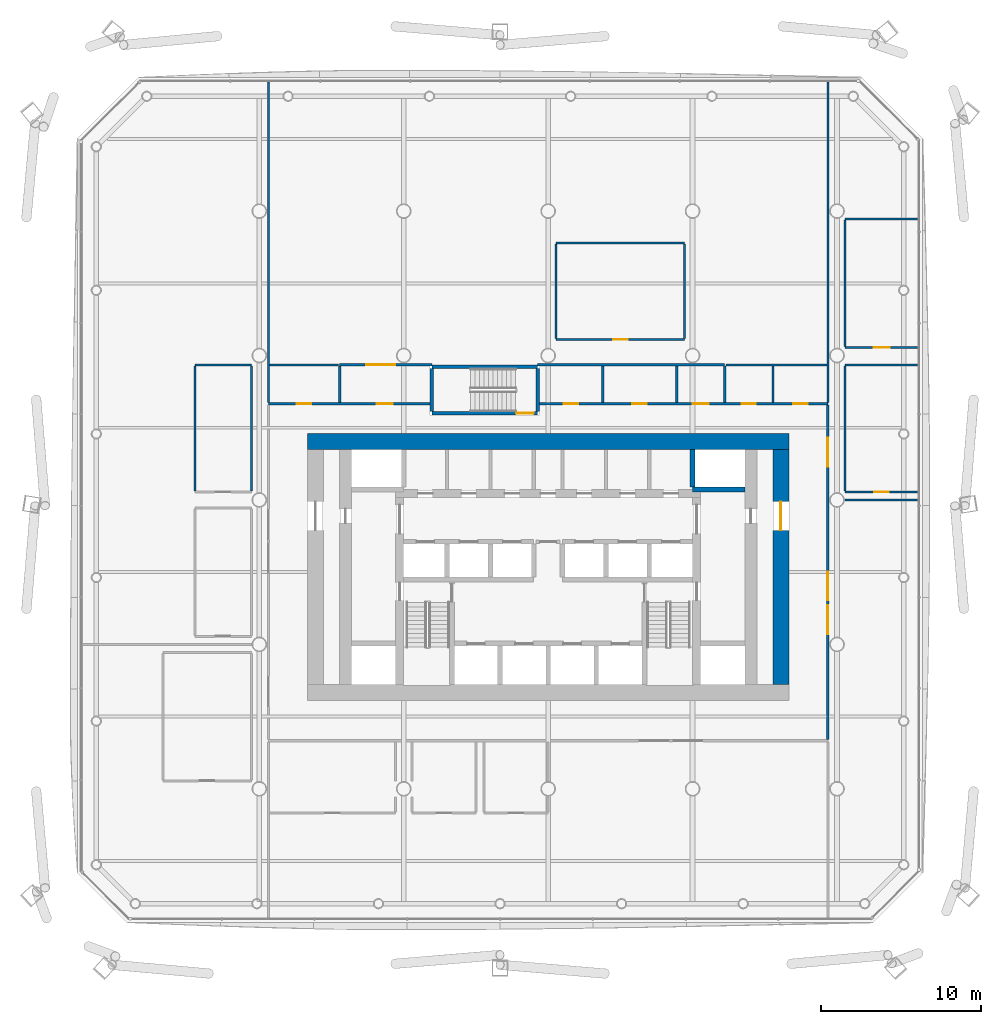
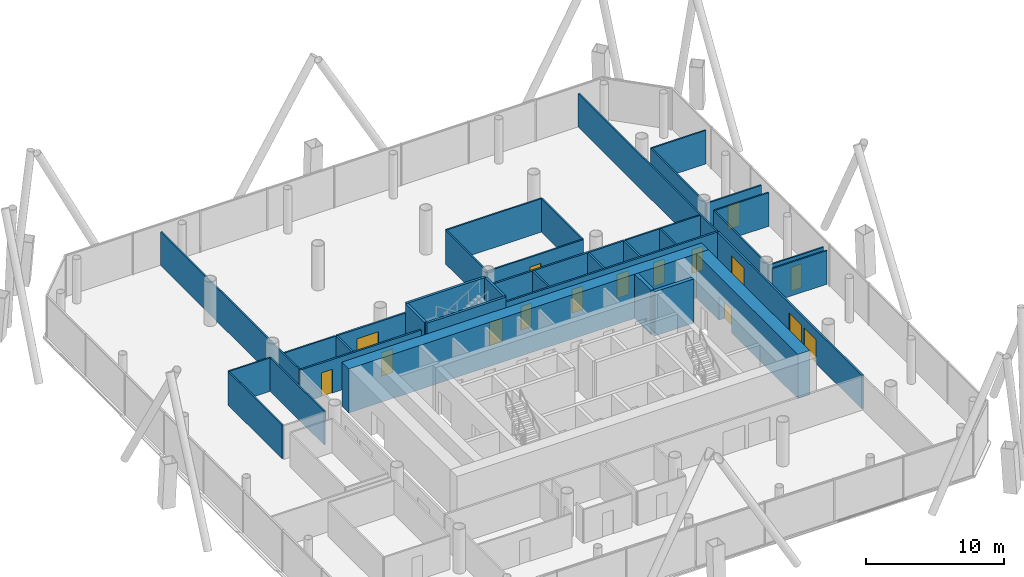
# One storey, part 15 of 21: 36 walls, 16 doors, 16 openings.
"""IFC4 building model written with IfcOpenShell, lengths in metres."""

from ifc_helpers import new_model, si_unit, direction, frame, frame_2d, origin, place, context, subcontext, project, spatial, rectangle, extrude, material, layer, layer_set, type_object, element, fill, save


model = new_model("IFC4")

# Units and contexts
model_context = context("Model", 3, precision=1e-05, world=origin(), true_north=direction((0.0, 1.0)))
body_context = subcontext(model_context, "Body", "Model", "MODEL_VIEW")
ifc_project = project(units=[si_unit("LENGTHUNIT", "METRE"), si_unit("AREAUNIT", "SQUARE_METRE"), si_unit("VOLUMEUNIT", "CUBIC_METRE"), si_unit("PLANEANGLEUNIT", "RADIAN"), si_unit("MASSUNIT", "GRAM", prefix="KILO")], contexts=[model_context])

# Site, building, storey
site_placement = place(None, origin())
site = spatial("IfcSite", under=ifc_project, at=site_placement, CompositionType="ELEMENT")
building_placement = place(site_placement, origin())
building = spatial("IfcBuilding", under=site, at=building_placement, Name="Tskaro Facet Tower", CompositionType="ELEMENT")
storey_placement = place(building_placement, frame((0.0, 0.0, 45.89990234375)))
storey = spatial("IfcBuildingStorey", under=building, at=storey_placement, Name="L10", CompositionType="ELEMENT", Elevation=45.89990234375)

# Walls
ifc_material_1 = material(Name="Concrete C60/75", Category="concrete")
ifc_layer_1 = layer(ifc_material_1, 0.300048828125, Name="Concrete C60/75")
ifc_layer_set_1 = layer_set([ifc_layer_1], Name="Concrete C60/75")
wall_type_1 = type_object("IfcWallType", Name="CORE-SHAFT", PredefinedType="SHEAR", material=ifc_layer_set_1)
wall_1_placement = place(storey_placement, frame((12.25, 0.64990234375, 0.0), z_axis=(0.0, 0.0, 1.0), x_axis=(-1.0, 0.0, 0.0)))
element("IfcWall", 1, at=wall_1_placement, inside=storey, type_object=wall_type_1, Name="Shaft wall W022", PredefinedType="SHEAR", context=body_context, shape_type="SweptSolid", body=[
    extrude(rectangle(XDim=3.25, YDim=0.300048828125, at=frame_2d((1.625, 0.0))), origin(), (0.0, 0.0, 1.0), 3.900146484375),
])
wall_2_placement = place(storey_placement, frame((9.0, 0.800048828125, 0.0), z_axis=(0.0, 0.0, 1.0), x_axis=(0.0, 1.0, 0.0)))
element("IfcWall", 2, at=wall_2_placement, inside=storey, type_object=wall_type_1, Name="Shaft wall W079", PredefinedType="SHEAR", context=body_context, shape_type="SweptSolid", body=[
    extrude(rectangle(XDim=2.349853515625, YDim=0.300048828125, at=frame_2d((1.1748046875, 0.0))), origin(), (0.0, 0.0, 1.0), 3.900146484375),
])
ifc_layer_2 = layer(ifc_material_1, 1.0, Name="Concrete C60/75")
ifc_layer_set_2 = layer_set([ifc_layer_2], Name="Concrete C60/75")
wall_type_2 = type_object("IfcWallType", Name="Core wall 1000", PredefinedType="SHEAR", material=ifc_layer_set_2)
wall_3_placement = place(storey_placement, frame((-15.0, 3.64990234375, 0.0), z_axis=(0.0, 0.0, 1.0), x_axis=(1.0, 0.0, 0.0)))
element("IfcWall", 3, at=wall_3_placement, inside=storey, type_object=wall_type_2, Name="Core wall CW-Z1N", PredefinedType="SHEAR", context=body_context, shape_type="SweptSolid", body=[
    extrude(rectangle(XDim=30.0, YDim=1.0, at=frame_2d((15.0, 0.0))), origin(), (0.0, 0.0, 1.0), 3.900146484375),
])

# Wall, opening, door
wall_4_placement = place(storey_placement, frame((14.5, -11.5, 0.0), z_axis=(0.0, 0.0, 1.0), x_axis=(0.0, 1.0, 0.0)))
wall_4 = element("IfcWall", 4, at=wall_4_placement, inside=storey, type_object=wall_type_2, Name="Core wall CW-Z1E", PredefinedType="SHEAR", context=body_context, shape_type="SweptSolid", body=[
    extrude(rectangle(XDim=14.64990234375, YDim=1.0, at=frame_2d((7.324951171875, 0.0))), origin(), (0.0, 0.0, 1.0), 3.900146484375),
])
opening_1_placement = place(wall_4_placement, frame((9.60009765625, 0.0, 0.0)))
opening_1 = element("IfcOpeningElement", 5, at=opening_1_placement, cuts=wall_4, Name="Opening T3-D20", PredefinedType="OPENING", context=body_context, shape_type="SweptSolid", body=[
    extrude(rectangle(XDim=1.800048828125, YDim=2.10009765625, at=frame_2d((0.89990234375, 1.050048828125))), frame((0.0, 0.510009765625, 0.0), z_axis=(0.0, -1.0, 0.0), x_axis=(1.0, 0.0, 0.0)), (0.0, 0.0, 1.0), 1.02001953125),
])
ifc_material_2 = material(Name="Steel", Category="steel")
door_type_1 = type_object("IfcDoorType", Name="D-CORE-PAIR", OperationType="NOTDEFINED", PredefinedType="DOOR", material=ifc_material_2)
door_1_placement = place(opening_1_placement, origin())
door_1 = element("IfcDoor", 6, at=door_1_placement, inside=storey, type_object=door_type_1, Name="Door T3-D20", OperationType="DOUBLE_DOOR_SINGLE_SWING", OverallHeight=2.10009765625, OverallWidth=1.800048828125, PredefinedType="DOOR", context=body_context, shape_type="SweptSolid", body=[
    extrude(rectangle(XDim=1.800048828125, YDim=2.10009765625, at=frame_2d((0.89990234375, 1.050048828125))), frame((0.0, 0.02490234375, 0.0), z_axis=(0.0, -1.0, 0.0), x_axis=(1.0, 0.0, 0.0)), (0.0, 0.0, 1.0), 0.050048828125),
])
fill(opening_1, door_1)

# Wall
ifc_material_3 = material(Name="Gypsum board on steel studs", Category="steel")
ifc_layer_3 = layer(ifc_material_3, 0.125, Name="Gypsum board on steel studs")
ifc_layer_set_3 = layer_set([ifc_layer_3], Name="Gypsum board on steel studs")
wall_type_3 = type_object("IfcWallType", Name="PART", PredefinedType="PARTITIONING", material=ifc_layer_set_3)
wall_5_placement = place(storey_placement, frame((18.5, 0.0, 0.0), z_axis=(0.0, 0.0, 1.0), x_axis=(1.0, 0.0, 0.0)))
element("IfcWall", 7, at=wall_5_placement, inside=storey, type_object=wall_type_3, Name="Partition W018", PredefinedType="PARTITIONING", context=body_context, shape_type="SweptSolid", body=[
    extrude(rectangle(XDim=4.556884765625, YDim=0.125, at=frame_2d((2.2783203125, 0.0))), origin(), (0.0, 0.0, 1.0), 2.960205078125),
])

# Wall, opening, door
wall_6_placement = place(storey_placement, frame((18.5, 0.5, 0.0), z_axis=(0.0, 0.0, 1.0), x_axis=(1.0, 0.0, 0.0)))
wall_6 = element("IfcWall", 8, at=wall_6_placement, inside=storey, type_object=wall_type_3, Name="Partition W020", PredefinedType="PARTITIONING", context=body_context, shape_type="SweptSolid", body=[
    extrude(rectangle(XDim=4.556884765625, YDim=0.125, at=frame_2d((2.2783203125, 0.0))), origin(), (0.0, 0.0, 1.0), 2.960205078125),
])
opening_2_placement = place(wall_6_placement, frame((1.82861328125, 0.0, 0.0)))
opening_2 = element("IfcOpeningElement", 9, at=opening_2_placement, cuts=wall_6, Name="Opening T3-D29", PredefinedType="OPENING", context=body_context, shape_type="SweptSolid", body=[
    extrude(rectangle(XDim=0.89990234375, YDim=2.10009765625, at=frame_2d((0.449951171875, 1.050048828125))), frame((0.0, 0.072509765625, 0.0), z_axis=(0.0, -1.0, 0.0), x_axis=(1.0, 0.0, 0.0)), (0.0, 0.0, 1.0), 0.14501953125),
])
ifc_material_4 = material(Name="Timber", Category="wood")
door_type_2 = type_object("IfcDoorType", Name="D-ROOM", OperationType="NOTDEFINED", PredefinedType="DOOR", material=ifc_material_4)
door_2_placement = place(opening_2_placement, origin())
door_2 = element("IfcDoor", 10, at=door_2_placement, inside=storey, type_object=door_type_2, Name="Door T3-D29", OperationType="SINGLE_SWING_LEFT", OverallHeight=2.10009765625, OverallWidth=0.89990234375, PredefinedType="DOOR", context=body_context, shape_type="SweptSolid", body=[
    extrude(rectangle(XDim=0.89990234375, YDim=2.10009765625, at=frame_2d((0.449951171875, 1.050048828125))), frame((0.0, 0.02490234375, 0.0), z_axis=(0.0, -1.0, 0.0), x_axis=(1.0, 0.0, 0.0)), (0.0, 0.0, 1.0), 0.050048828125),
])
fill(opening_2, door_2)

# Walls
wall_7_placement = place(storey_placement, frame((-22.0, 8.425048828125, 0.0), z_axis=(0.0, 0.0, 1.0), x_axis=(1.0, 0.0, 0.0)))
element("IfcWall", 11, at=wall_7_placement, inside=storey, type_object=wall_type_3, Name="Partition W027", PredefinedType="PARTITIONING", context=body_context, shape_type="SweptSolid", body=[
    extrude(rectangle(XDim=3.5, YDim=0.125, at=frame_2d((1.75, 0.0))), origin(), (0.0, 0.0, 1.0), 2.960205078125),
])
wall_8_placement = place(storey_placement, frame((-17.362548828125, 8.425048828125, 0.0), z_axis=(0.0, 0.0, 1.0), x_axis=(1.0, 0.0, 0.0)))
element("IfcWall", 12, at=wall_8_placement, inside=storey, type_object=wall_type_3, Name="Partition W028", PredefinedType="PARTITIONING", context=body_context, shape_type="SweptSolid", body=[
    extrude(rectangle(XDim=4.28759765625, YDim=0.125, at=frame_2d((2.143798828125, 0.0))), origin(), (0.0, 0.0, 1.0), 2.960205078125),
])
wall_9_placement = place(storey_placement, frame((11.074951171875, 8.425048828125, 0.0), z_axis=(0.0, 0.0, 1.0), x_axis=(1.0, 0.0, 0.0)))
element("IfcWall", 13, at=wall_9_placement, inside=storey, type_object=wall_type_3, Name="Partition W031", PredefinedType="PARTITIONING", context=body_context, shape_type="SweptSolid", body=[
    extrude(rectangle(XDim=6.28759765625, YDim=0.125, at=frame_2d((3.143798828125, 0.0))), origin(), (0.0, 0.0, 1.0), 2.960205078125),
])
wall_10_placement = place(storey_placement, frame((18.5, 8.425048828125, 0.0), z_axis=(0.0, 0.0, 1.0), x_axis=(1.0, 0.0, 0.0)))
element("IfcWall", 14, at=wall_10_placement, inside=storey, type_object=wall_type_3, Name="Partition W032", PredefinedType="PARTITIONING", context=body_context, shape_type="SweptSolid", body=[
    extrude(rectangle(XDim=4.556884765625, YDim=0.125, at=frame_2d((2.2783203125, 0.0))), origin(), (0.0, 0.0, 1.0), 2.960205078125),
])

# Wall, opening, door
wall_11_placement = place(storey_placement, frame((18.5, 9.5, 0.0), z_axis=(0.0, 0.0, 1.0), x_axis=(1.0, 0.0, 0.0)))
wall_11 = element("IfcWall", 15, at=wall_11_placement, inside=storey, type_object=wall_type_3, Name="Partition W033", PredefinedType="PARTITIONING", context=body_context, shape_type="SweptSolid", body=[
    extrude(rectangle(XDim=4.556884765625, YDim=0.125, at=frame_2d((2.2783203125, 0.0))), origin(), (0.0, 0.0, 1.0), 2.960205078125),
])
opening_3_placement = place(wall_11_placement, frame((1.778564453125, 0.0, 0.0)))
opening_3 = element("IfcOpeningElement", 16, at=opening_3_placement, cuts=wall_11, Name="Opening T3-D41", PredefinedType="OPENING", context=body_context, shape_type="SweptSolid", body=[
    extrude(rectangle(XDim=1.0, YDim=2.10009765625, at=frame_2d((0.5, 1.050048828125))), frame((0.0, 0.072509765625, 0.0), z_axis=(0.0, -1.0, 0.0), x_axis=(1.0, 0.0, 0.0)), (0.0, 0.0, 1.0), 0.14501953125),
])
door_type_3 = type_object("IfcDoorType", Name="D-ROOM-WIDE", OperationType="NOTDEFINED", PredefinedType="DOOR", material=ifc_material_4)
door_3_placement = place(opening_3_placement, origin())
door_3 = element("IfcDoor", 17, at=door_3_placement, inside=storey, type_object=door_type_3, Name="Door T3-D41", OperationType="SINGLE_SWING_LEFT", OverallHeight=2.10009765625, OverallWidth=1.0, PredefinedType="DOOR", context=body_context, shape_type="SweptSolid", body=[
    extrude(rectangle(XDim=1.0, YDim=2.10009765625, at=frame_2d((0.5, 1.050048828125))), frame((0.0, 0.02490234375, 0.0), z_axis=(0.0, -1.0, 0.0), x_axis=(1.0, 0.0, 0.0)), (0.0, 0.0, 1.0), 0.050048828125),
])
fill(opening_3, door_3)

wall_12_placement = place(storey_placement, frame((0.5, 10.0, 0.0), z_axis=(0.0, 0.0, 1.0), x_axis=(1.0, 0.0, 0.0)))
wall_12 = element("IfcWall", 18, at=wall_12_placement, inside=storey, type_object=wall_type_3, Name="Partition W034", PredefinedType="PARTITIONING", context=body_context, shape_type="SweptSolid", body=[
    extrude(rectangle(XDim=8.0, YDim=0.125, at=frame_2d((4.0, 0.0))), origin(), (0.0, 0.0, 1.0), 2.960205078125),
])
opening_4_placement = place(wall_12_placement, frame((3.550048828125, 0.0, 0.0)))
opening_4 = element("IfcOpeningElement", 19, at=opening_4_placement, cuts=wall_12, Name="Opening T3-D42", PredefinedType="OPENING", context=body_context, shape_type="SweptSolid", body=[
    extrude(rectangle(XDim=0.89990234375, YDim=2.10009765625, at=frame_2d((0.449951171875, 1.050048828125))), frame((0.0, 0.072509765625, 0.0), z_axis=(0.0, -1.0, 0.0), x_axis=(1.0, 0.0, 0.0)), (0.0, 0.0, 1.0), 0.14501953125),
])
door_4_placement = place(opening_4_placement, origin())
door_4 = element("IfcDoor", 20, at=door_4_placement, inside=storey, type_object=door_type_2, Name="Door T3-D42", OperationType="SINGLE_SWING_LEFT", OverallHeight=2.10009765625, OverallWidth=0.89990234375, PredefinedType="DOOR", context=body_context, shape_type="SweptSolid", body=[
    extrude(rectangle(XDim=0.89990234375, YDim=2.10009765625, at=frame_2d((0.449951171875, 1.050048828125))), frame((0.0, 0.02490234375, 0.0), z_axis=(0.0, -1.0, 0.0), x_axis=(1.0, 0.0, 0.0)), (0.0, 0.0, 1.0), 0.050048828125),
])
fill(opening_4, door_4)

# Walls
wall_13_placement = place(storey_placement, frame((0.5, 16.0, 0.0), z_axis=(0.0, 0.0, 1.0), x_axis=(1.0, 0.0, 0.0)))
element("IfcWall", 21, at=wall_13_placement, inside=storey, type_object=wall_type_3, Name="Partition W035", PredefinedType="PARTITIONING", context=body_context, shape_type="SweptSolid", body=[
    extrude(rectangle(XDim=8.0, YDim=0.125, at=frame_2d((4.0, 0.0))), origin(), (0.0, 0.0, 1.0), 2.960205078125),
])
wall_14_placement = place(storey_placement, frame((18.5, 17.5, 0.0), z_axis=(0.0, 0.0, 1.0), x_axis=(1.0, 0.0, 0.0)))
element("IfcWall", 22, at=wall_14_placement, inside=storey, type_object=wall_type_3, Name="Partition W036", PredefinedType="PARTITIONING", context=body_context, shape_type="SweptSolid", body=[
    extrude(rectangle(XDim=4.556884765625, YDim=0.125, at=frame_2d((2.2783203125, 0.0))), origin(), (0.0, 0.0, 1.0), 2.960205078125),
])
for number, where, z_axis, x_axis, name in (
    (23, (-22.0, 0.5625, 0.0), (0.0, 0.0, 1.0), (0.0, 1.0, 0.0), "Partition W039"),
    (24, (-18.5, 0.5625, 0.0), (0.0, 0.0, 1.0), (0.0, 1.0, 0.0), "Partition W042"),
):
    element("IfcWall", number, at=place(storey_placement, frame(where, z_axis=z_axis, x_axis=x_axis)), inside=storey, type_object=wall_type_3, Name=name, PredefinedType="PARTITIONING", context=body_context, shape_type="SweptSolid", body=[
        extrude(rectangle(XDim=7.800048828125, YDim=0.125, at=frame_2d((3.89990234375, 0.0))), origin(), (0.0, 0.0, 1.0), 2.960205078125),
    ])
wall_15_placement = place(storey_placement, frame((-17.425048828125, 6.074951171875, 0.0), z_axis=(0.0, 0.0, 1.0), x_axis=(0.0, 1.0, 0.0)))
element("IfcWall", 25, at=wall_15_placement, inside=storey, type_object=wall_type_3, Name="Partition W045", PredefinedType="PARTITIONING", context=body_context, shape_type="SweptSolid", body=[
    extrude(rectangle(XDim=19.98193359375, YDim=0.125, at=frame_2d((9.990966796875, 0.0))), origin(), (0.0, 0.0, 1.0), 2.960205078125),
])
for number, where, z_axis, x_axis, name in (
    (26, (0.5, 10.0625, 0.0), (0.0, 0.0, 1.0), (0.0, 1.0, 0.0), "Partition W067"),
    (27, (8.5, 10.0625, 0.0), (0.0, 0.0, 1.0), (0.0, 1.0, 0.0), "Partition W078"),
):
    element("IfcWall", number, at=place(storey_placement, frame(where, z_axis=z_axis, x_axis=x_axis)), inside=storey, type_object=wall_type_3, Name=name, PredefinedType="PARTITIONING", context=body_context, shape_type="SweptSolid", body=[
        extrude(rectangle(XDim=5.875, YDim=0.125, at=frame_2d((2.9375, 0.0))), origin(), (0.0, 0.0, 1.0), 2.960205078125),
    ])
wall_16_placement = place(storey_placement, frame((14.0, 6.074951171875, 0.0), z_axis=(0.0, 0.0, 1.0), x_axis=(0.0, 1.0, 0.0)))
element("IfcWall", 28, at=wall_16_placement, inside=storey, type_object=wall_type_3, Name="Partition W081", PredefinedType="PARTITIONING", context=body_context, shape_type="SweptSolid", body=[
    extrude(rectangle(XDim=2.28759765625, YDim=0.125, at=frame_2d((1.143798828125, 0.0))), origin(), (0.0, 0.0, 1.0), 2.960205078125),
])
wall_17_placement = place(storey_placement, frame((17.425048828125, 6.074951171875, 0.0), z_axis=(0.0, 0.0, 1.0), x_axis=(0.0, 1.0, 0.0)))
element("IfcWall", 29, at=wall_17_placement, inside=storey, type_object=wall_type_3, Name="Partition W084", PredefinedType="PARTITIONING", context=body_context, shape_type="SweptSolid", body=[
    extrude(rectangle(XDim=19.98193359375, YDim=0.125, at=frame_2d((9.990966796875, 0.0))), origin(), (0.0, 0.0, 1.0), 2.960205078125),
])
wall_18_placement = place(storey_placement, frame((18.5, 0.5625, 0.0), z_axis=(0.0, 0.0, 1.0), x_axis=(0.0, 1.0, 0.0)))
element("IfcWall", 30, at=wall_18_placement, inside=storey, type_object=wall_type_3, Name="Partition W085", PredefinedType="PARTITIONING", context=body_context, shape_type="SweptSolid", body=[
    extrude(rectangle(XDim=7.800048828125, YDim=0.125, at=frame_2d((3.89990234375, 0.0))), origin(), (0.0, 0.0, 1.0), 2.960205078125),
])
wall_19_placement = place(storey_placement, frame((18.5, 9.5625, 0.0), z_axis=(0.0, 0.0, 1.0), x_axis=(0.0, 1.0, 0.0)))
element("IfcWall", 31, at=wall_19_placement, inside=storey, type_object=wall_type_3, Name="Partition W086", PredefinedType="PARTITIONING", context=body_context, shape_type="SweptSolid", body=[
    extrude(rectangle(XDim=7.875, YDim=0.125, at=frame_2d((3.9375, 0.0))), origin(), (0.0, 0.0, 1.0), 2.960205078125),
])

# Wall, openings, doors
ifc_layer_4 = layer(ifc_material_3, 0.14990234375, Name="Gypsum board on steel studs")
ifc_layer_set_4 = layer_set([ifc_layer_4], Name="Gypsum board on steel studs")
wall_type_4 = type_object("IfcWallType", Name="PART-CORR", PredefinedType="PARTITIONING", material=ifc_layer_set_4)
wall_20_placement = place(storey_placement, frame((-7.35009765625, 6.0, 0.0), z_axis=(0.0, 0.0, 1.0), x_axis=(-1.0, 0.0, 0.0)))
wall_20 = element("IfcWall", 32, at=wall_20_placement, inside=storey, type_object=wall_type_4, Name="Corridor wall W024", PredefinedType="PARTITIONING", context=body_context, shape_type="SweptSolid", body=[
    extrude(rectangle(XDim=10.074951171875, YDim=0.14990234375, at=frame_2d((5.03759765625, 0.0))), origin(), (0.0, 0.0, 1.0), 2.960205078125),
])
opening_5_placement = place(wall_20_placement, frame((2.324951171875, 0.0, 0.0)))
opening_5 = element("IfcOpeningElement", 33, at=opening_5_placement, cuts=wall_20, Name="Opening T3-D34", PredefinedType="OPENING", context=body_context, shape_type="SweptSolid", body=[
    extrude(rectangle(XDim=1.0, YDim=2.10009765625, at=frame_2d((0.5, 1.050048828125))), frame((0.0, 0.0849609375, 0.0), z_axis=(0.0, -1.0, 0.0), x_axis=(1.0, 0.0, 0.0)), (0.0, 0.0, 1.0), 0.169921875),
])
opening_6_placement = place(wall_20_placement, frame((7.41259765625, 0.0, 0.0)))
opening_6 = element("IfcOpeningElement", 34, at=opening_6_placement, cuts=wall_20, Name="Opening T3-D33", PredefinedType="OPENING", context=body_context, shape_type="SweptSolid", body=[
    extrude(rectangle(XDim=0.89990234375, YDim=2.10009765625, at=frame_2d((0.449951171875, 1.050048828125))), frame((0.0, 0.0849609375, 0.0), z_axis=(0.0, -1.0, 0.0), x_axis=(1.0, 0.0, 0.0)), (0.0, 0.0, 1.0), 0.169921875),
])
door_type_4 = type_object("IfcDoorType", Name="D-ENTRY", OperationType="NOTDEFINED", PredefinedType="DOOR", material=ifc_material_4)
door_5_placement = place(opening_5_placement, origin())
door_5 = element("IfcDoor", 35, at=door_5_placement, inside=storey, type_object=door_type_4, Name="Door T3-D34", OperationType="SINGLE_SWING_RIGHT", OverallHeight=2.10009765625, OverallWidth=1.0, PredefinedType="DOOR", context=body_context, shape_type="SweptSolid", body=[
    extrude(rectangle(XDim=1.0, YDim=2.10009765625, at=frame_2d((0.5, 1.050048828125))), frame((0.0, 0.02490234375, 0.0), z_axis=(0.0, -1.0, 0.0), x_axis=(1.0, 0.0, 0.0)), (0.0, 0.0, 1.0), 0.050048828125),
])
fill(opening_5, door_5)
door_6_placement = place(opening_6_placement, origin())
door_6 = element("IfcDoor", 36, at=door_6_placement, inside=storey, type_object=door_type_2, Name="Door T3-D33", OperationType="SINGLE_SWING_RIGHT", OverallHeight=2.10009765625, OverallWidth=0.89990234375, PredefinedType="DOOR", context=body_context, shape_type="SweptSolid", body=[
    extrude(rectangle(XDim=0.89990234375, YDim=2.10009765625, at=frame_2d((0.449951171875, 1.050048828125))), frame((0.0, 0.02490234375, 0.0), z_axis=(0.0, -1.0, 0.0), x_axis=(1.0, 0.0, 0.0)), (0.0, 0.0, 1.0), 0.050048828125),
])
fill(opening_6, door_6)

wall_21_placement = place(storey_placement, frame((-0.550048828125, 6.0, 0.0), z_axis=(0.0, 0.0, 1.0), x_axis=(1.0, 0.0, 0.0)))
wall_21 = element("IfcWall", 37, at=wall_21_placement, inside=storey, type_object=wall_type_4, Name="Corridor wall W025", PredefinedType="PARTITIONING", context=body_context, shape_type="SweptSolid", body=[
    extrude(rectangle(XDim=17.97509765625, YDim=0.14990234375, at=frame_2d((8.987548828125, 0.0))), origin(), (0.0, 0.0, 1.0), 2.960205078125),
])
opening_7_placement = place(wall_21_placement, frame((1.52490234375, 0.0, 0.0)))
opening_7 = element("IfcOpeningElement", 38, at=opening_7_placement, cuts=wall_21, Name="Opening T3-D35", PredefinedType="OPENING", context=body_context, shape_type="SweptSolid", body=[
    extrude(rectangle(XDim=0.89990234375, YDim=2.10009765625, at=frame_2d((0.449951171875, 1.050048828125))), frame((0.0, 0.0849609375, 0.0), z_axis=(0.0, -1.0, 0.0), x_axis=(1.0, 0.0, 0.0)), (0.0, 0.0, 1.0), 0.169921875),
])
opening_8_placement = place(wall_21_placement, frame((5.800048828125, 0.0, 0.0)))
opening_8 = element("IfcOpeningElement", 39, at=opening_8_placement, cuts=wall_21, Name="Opening T3-D36", PredefinedType="OPENING", context=body_context, shape_type="SweptSolid", body=[
    extrude(rectangle(XDim=0.89990234375, YDim=2.10009765625, at=frame_2d((0.449951171875, 1.050048828125))), frame((0.0, 0.0849609375, 0.0), z_axis=(0.0, -1.0, 0.0), x_axis=(1.0, 0.0, 0.0)), (0.0, 0.0, 1.0), 0.169921875),
])
opening_9_placement = place(wall_21_placement, frame((9.550048828125, 0.0, 0.0)))
opening_9 = element("IfcOpeningElement", 40, at=opening_9_placement, cuts=wall_21, Name="Opening T3-D37", PredefinedType="OPENING", context=body_context, shape_type="SweptSolid", body=[
    extrude(rectangle(XDim=1.0, YDim=2.10009765625, at=frame_2d((0.5, 1.050048828125))), frame((0.0, 0.0849609375, 0.0), z_axis=(0.0, -1.0, 0.0), x_axis=(1.0, 0.0, 0.0)), (0.0, 0.0, 1.0), 0.169921875),
])
opening_10_placement = place(wall_21_placement, frame((12.60009765625, 0.0, 0.0)))
opening_10 = element("IfcOpeningElement", 41, at=opening_10_placement, cuts=wall_21, Name="Opening T3-D38", PredefinedType="OPENING", context=body_context, shape_type="SweptSolid", body=[
    extrude(rectangle(XDim=0.89990234375, YDim=2.10009765625, at=frame_2d((0.449951171875, 1.050048828125))), frame((0.0, 0.0849609375, 0.0), z_axis=(0.0, -1.0, 0.0), x_axis=(1.0, 0.0, 0.0)), (0.0, 0.0, 1.0), 0.169921875),
])
opening_11_placement = place(wall_21_placement, frame((15.8125, 0.0, 0.0)))
opening_11 = element("IfcOpeningElement", 42, at=opening_11_placement, cuts=wall_21, Name="Opening T3-D39", PredefinedType="OPENING", context=body_context, shape_type="SweptSolid", body=[
    extrude(rectangle(XDim=0.89990234375, YDim=2.10009765625, at=frame_2d((0.449951171875, 1.050048828125))), frame((0.0, 0.0849609375, 0.0), z_axis=(0.0, -1.0, 0.0), x_axis=(1.0, 0.0, 0.0)), (0.0, 0.0, 1.0), 0.169921875),
])
door_7_placement = place(opening_7_placement, origin())
door_7 = element("IfcDoor", 43, at=door_7_placement, inside=storey, type_object=door_type_2, Name="Door T3-D35", OperationType="SINGLE_SWING_LEFT", OverallHeight=2.10009765625, OverallWidth=0.89990234375, PredefinedType="DOOR", context=body_context, shape_type="SweptSolid", body=[
    extrude(rectangle(XDim=0.89990234375, YDim=2.10009765625, at=frame_2d((0.449951171875, 1.050048828125))), frame((0.0, 0.02490234375, 0.0), z_axis=(0.0, -1.0, 0.0), x_axis=(1.0, 0.0, 0.0)), (0.0, 0.0, 1.0), 0.050048828125),
])
fill(opening_7, door_7)
door_8_placement = place(opening_8_placement, origin())
door_8 = element("IfcDoor", 44, at=door_8_placement, inside=storey, type_object=door_type_2, Name="Door T3-D36", OperationType="SINGLE_SWING_LEFT", OverallHeight=2.10009765625, OverallWidth=0.89990234375, PredefinedType="DOOR", context=body_context, shape_type="SweptSolid", body=[
    extrude(rectangle(XDim=0.89990234375, YDim=2.10009765625, at=frame_2d((0.449951171875, 1.050048828125))), frame((0.0, 0.02490234375, 0.0), z_axis=(0.0, -1.0, 0.0), x_axis=(1.0, 0.0, 0.0)), (0.0, 0.0, 1.0), 0.050048828125),
])
fill(opening_8, door_8)
door_9_placement = place(opening_10_placement, origin())
door_9 = element("IfcDoor", 45, at=door_9_placement, inside=storey, type_object=door_type_2, Name="Door T3-D38", OperationType="SINGLE_SWING_LEFT", OverallHeight=2.10009765625, OverallWidth=0.89990234375, PredefinedType="DOOR", context=body_context, shape_type="SweptSolid", body=[
    extrude(rectangle(XDim=0.89990234375, YDim=2.10009765625, at=frame_2d((0.449951171875, 1.050048828125))), frame((0.0, 0.02490234375, 0.0), z_axis=(0.0, -1.0, 0.0), x_axis=(1.0, 0.0, 0.0)), (0.0, 0.0, 1.0), 0.050048828125),
])
fill(opening_10, door_9)
door_10_placement = place(opening_11_placement, origin())
door_10 = element("IfcDoor", 46, at=door_10_placement, inside=storey, type_object=door_type_2, Name="Door T3-D39", OperationType="SINGLE_SWING_LEFT", OverallHeight=2.10009765625, OverallWidth=0.89990234375, PredefinedType="DOOR", context=body_context, shape_type="SweptSolid", body=[
    extrude(rectangle(XDim=0.89990234375, YDim=2.10009765625, at=frame_2d((0.449951171875, 1.050048828125))), frame((0.0, 0.02490234375, 0.0), z_axis=(0.0, -1.0, 0.0), x_axis=(1.0, 0.0, 0.0)), (0.0, 0.0, 1.0), 0.050048828125),
])
fill(opening_11, door_10)
door_11_placement = place(opening_9_placement, origin())
door_11 = element("IfcDoor", 47, at=door_11_placement, inside=storey, type_object=door_type_3, Name="Door T3-D37", OperationType="SINGLE_SWING_LEFT", OverallHeight=2.10009765625, OverallWidth=1.0, PredefinedType="DOOR", context=body_context, shape_type="SweptSolid", body=[
    extrude(rectangle(XDim=1.0, YDim=2.10009765625, at=frame_2d((0.5, 1.050048828125))), frame((0.0, 0.02490234375, 0.0), z_axis=(0.0, -1.0, 0.0), x_axis=(1.0, 0.0, 0.0)), (0.0, 0.0, 1.0), 0.050048828125),
])
fill(opening_9, door_11)

# Wall, opening, door
wall_22_placement = place(storey_placement, frame((-13.0, 8.425048828125, 0.0), z_axis=(0.0, 0.0, 1.0), x_axis=(1.0, 0.0, 0.0)))
wall_22 = element("IfcWall", 48, at=wall_22_placement, inside=storey, type_object=wall_type_4, Name="Corridor wall W029", PredefinedType="PARTITIONING", context=body_context, shape_type="SweptSolid", body=[
    extrude(rectangle(XDim=5.75, YDim=0.14990234375, at=frame_2d((2.875, 0.0))), origin(), (0.0, 0.0, 1.0), 2.960205078125),
])
opening_12_placement = place(wall_22_placement, frame((1.675048828125, 0.0, 0.0)))
opening_12 = element("IfcOpeningElement", 49, at=opening_12_placement, cuts=wall_22, Name="Opening T3-D40", PredefinedType="OPENING", context=body_context, shape_type="SweptSolid", body=[
    extrude(rectangle(XDim=1.800048828125, YDim=2.10009765625, at=frame_2d((0.89990234375, 1.050048828125))), frame((0.0, 0.0849609375, 0.0), z_axis=(0.0, -1.0, 0.0), x_axis=(1.0, 0.0, 0.0)), (0.0, 0.0, 1.0), 0.169921875),
])
ifc_material_5 = material(Name="Glass", Category="glass")
door_type_5 = type_object("IfcDoorType", Name="D-ENTRY-PAIR", OperationType="NOTDEFINED", PredefinedType="DOOR", material=ifc_material_5)
door_12_placement = place(opening_12_placement, origin())
door_12 = element("IfcDoor", 50, at=door_12_placement, inside=storey, type_object=door_type_5, Name="Door T3-D40", OperationType="DOUBLE_DOOR_SINGLE_SWING", OverallHeight=2.10009765625, OverallWidth=1.800048828125, PredefinedType="DOOR", context=body_context, shape_type="SweptSolid", body=[
    extrude(rectangle(XDim=1.800048828125, YDim=2.10009765625, at=frame_2d((0.89990234375, 1.050048828125))), frame((0.0, 0.02490234375, 0.0), z_axis=(0.0, -1.0, 0.0), x_axis=(1.0, 0.0, 0.0)), (0.0, 0.0, 1.0), 0.050048828125),
])
fill(opening_12, door_12)

# Walls
wall_23_placement = place(storey_placement, frame((-0.64990234375, 8.425048828125, 0.0), z_axis=(0.0, 0.0, 1.0), x_axis=(1.0, 0.0, 0.0)))
element("IfcWall", 51, at=wall_23_placement, inside=storey, type_object=wall_type_4, Name="Corridor wall W030", PredefinedType="PARTITIONING", context=body_context, shape_type="SweptSolid", body=[
    extrude(rectangle(XDim=11.64990234375, YDim=0.14990234375, at=frame_2d((5.824951171875, 0.0))), origin(), (0.0, 0.0, 1.0), 2.960205078125),
])
for number, where, z_axis, x_axis, name in (
    (52, (-13.0, 6.074951171875, 0.0), (0.0, 0.0, 1.0), (0.0, 1.0, 0.0), "Corridor wall W046"),
    (53, (3.39990234375, 6.074951171875, 0.0), (0.0, 0.0, 1.0), (0.0, 1.0, 0.0), "Corridor wall W071"),
    (54, (8.0, 6.074951171875, 0.0), (0.0, 0.0, 1.0), (0.0, 1.0, 0.0), "Corridor wall W077"),
    (55, (11.0, 6.074951171875, 0.0), (0.0, 0.0, 1.0), (0.0, 1.0, 0.0), "Corridor wall W080"),
):
    element("IfcWall", number, at=place(storey_placement, frame(where, z_axis=z_axis, x_axis=x_axis)), inside=storey, type_object=wall_type_4, Name=name, PredefinedType="PARTITIONING", context=body_context, shape_type="SweptSolid", body=[
        extrude(rectangle(XDim=2.275146484375, YDim=0.14990234375, at=frame_2d((1.1376953125, 0.0))), origin(), (0.0, 0.0, 1.0), 2.960205078125),
    ])

# Wall, openings, doors
wall_24_placement = place(storey_placement, frame((17.425048828125, -14.925048828125, 0.0), z_axis=(0.0, 0.0, 1.0), x_axis=(0.0, 1.0, 0.0)))
wall_24 = element("IfcWall", 56, at=wall_24_placement, inside=storey, type_object=wall_type_4, Name="Corridor wall W083", PredefinedType="PARTITIONING", context=body_context, shape_type="SweptSolid", body=[
    extrude(rectangle(XDim=20.85009765625, YDim=0.14990234375, at=frame_2d((10.425048828125, 0.0))), origin(), (0.0, 0.0, 1.0), 2.960205078125),
])
opening_13_placement = place(wall_24_placement, frame((6.5625, 0.0, 0.0)))
opening_13 = element("IfcOpeningElement", 57, at=opening_13_placement, cuts=wall_24, Name="Opening T3-D11", PredefinedType="OPENING", context=body_context, shape_type="SweptSolid", body=[
    extrude(rectangle(XDim=1.800048828125, YDim=2.10009765625, at=frame_2d((0.89990234375, 1.050048828125))), frame((0.0, 0.0849609375, 0.0), z_axis=(0.0, -1.0, 0.0), x_axis=(1.0, 0.0, 0.0)), (0.0, 0.0, 1.0), 0.169921875),
])
opening_14_placement = place(wall_24_placement, frame((8.66259765625, 0.0, 0.0)))
opening_14 = element("IfcOpeningElement", 58, at=opening_14_placement, cuts=wall_24, Name="Opening T3-D12", PredefinedType="OPENING", context=body_context, shape_type="SweptSolid", body=[
    extrude(rectangle(XDim=1.800048828125, YDim=2.10009765625, at=frame_2d((0.89990234375, 1.050048828125))), frame((0.0, 0.0849609375, 0.0), z_axis=(0.0, -1.0, 0.0), x_axis=(1.0, 0.0, 0.0)), (0.0, 0.0, 1.0), 0.169921875),
])
opening_15_placement = place(wall_24_placement, frame((16.987548828125, 0.0, 0.0)))
opening_15 = element("IfcOpeningElement", 59, at=opening_15_placement, cuts=wall_24, Name="Opening T3-D32", PredefinedType="OPENING", context=body_context, shape_type="SweptSolid", body=[
    extrude(rectangle(XDim=1.800048828125, YDim=2.10009765625, at=frame_2d((0.89990234375, 1.050048828125))), frame((0.0, 0.0849609375, 0.0), z_axis=(0.0, -1.0, 0.0), x_axis=(1.0, 0.0, 0.0)), (0.0, 0.0, 1.0), 0.169921875),
])
door_13_placement = place(opening_13_placement, origin())
door_13 = element("IfcDoor", 60, at=door_13_placement, inside=storey, type_object=door_type_5, Name="Door T3-D11", OperationType="DOUBLE_DOOR_SINGLE_SWING", OverallHeight=2.10009765625, OverallWidth=1.800048828125, PredefinedType="DOOR", context=body_context, shape_type="SweptSolid", body=[
    extrude(rectangle(XDim=1.800048828125, YDim=2.10009765625, at=frame_2d((0.89990234375, 1.050048828125))), frame((0.0, 0.02490234375, 0.0), z_axis=(0.0, -1.0, 0.0), x_axis=(1.0, 0.0, 0.0)), (0.0, 0.0, 1.0), 0.050048828125),
])
fill(opening_13, door_13)
door_14_placement = place(opening_14_placement, origin())
door_14 = element("IfcDoor", 61, at=door_14_placement, inside=storey, type_object=door_type_5, Name="Door T3-D12", OperationType="DOUBLE_DOOR_SINGLE_SWING", OverallHeight=2.10009765625, OverallWidth=1.800048828125, PredefinedType="DOOR", context=body_context, shape_type="SweptSolid", body=[
    extrude(rectangle(XDim=1.800048828125, YDim=2.10009765625, at=frame_2d((0.89990234375, 1.050048828125))), frame((0.0, 0.02490234375, 0.0), z_axis=(0.0, -1.0, 0.0), x_axis=(1.0, 0.0, 0.0)), (0.0, 0.0, 1.0), 0.050048828125),
])
fill(opening_14, door_14)
door_15_placement = place(opening_15_placement, origin())
door_15 = element("IfcDoor", 62, at=door_15_placement, inside=storey, type_object=door_type_5, Name="Door T3-D32", OperationType="DOUBLE_DOOR_SINGLE_SWING", OverallHeight=2.10009765625, OverallWidth=1.800048828125, PredefinedType="DOOR", context=body_context, shape_type="SweptSolid", body=[
    extrude(rectangle(XDim=1.800048828125, YDim=2.10009765625, at=frame_2d((0.89990234375, 1.050048828125))), frame((0.0, 0.02490234375, 0.0), z_axis=(0.0, -1.0, 0.0), x_axis=(1.0, 0.0, 0.0)), (0.0, 0.0, 1.0), 0.050048828125),
])
fill(opening_15, door_15)

# Wall, opening, door
ifc_layer_5 = layer(ifc_material_1, 0.199951171875, Name="Concrete C60/75")
ifc_layer_set_5 = layer_set([ifc_layer_5], Name="Concrete C60/75")
wall_type_5 = type_object("IfcWallType", Name="STAIR-WALL", PredefinedType="SHEAR", material=ifc_layer_set_5)
wall_25_placement = place(storey_placement, frame((-7.25, 5.39990234375, 0.0), z_axis=(0.0, 0.0, 1.0), x_axis=(1.0, 0.0, 0.0)))
wall_25 = element("IfcWall", 63, at=wall_25_placement, inside=storey, type_object=wall_type_5, Name="Stair wall W023", PredefinedType="SHEAR", context=body_context, shape_type="SweptSolid", body=[
    extrude(rectangle(XDim=6.60009765625, YDim=0.199951171875, at=frame_2d((3.300048828125, 0.0))), origin(), (0.0, 0.0, 1.0), 3.900146484375),
])
opening_16_placement = place(wall_25_placement, frame((5.25, 0.0, 0.0)))
opening_16 = element("IfcOpeningElement", 64, at=opening_16_placement, cuts=wall_25, Name="Opening ST-3-D1", PredefinedType="OPENING", context=body_context, shape_type="SweptSolid", body=[
    extrude(rectangle(XDim=1.10009765625, YDim=2.10009765625, at=frame_2d((0.550048828125, 1.050048828125))), frame((0.0, 0.10986328125, 0.0), z_axis=(0.0, -1.0, 0.0), x_axis=(1.0, 0.0, 0.0)), (0.0, 0.0, 1.0), 0.219970703125),
])
door_type_6 = type_object("IfcDoorType", Name="D-STAIR", OperationType="NOTDEFINED", PredefinedType="DOOR", material=ifc_material_2)
door_16_placement = place(opening_16_placement, origin())
door_16 = element("IfcDoor", 65, at=door_16_placement, inside=storey, type_object=door_type_6, Name="Stair door 3", OperationType="SINGLE_SWING_LEFT", OverallHeight=2.10009765625, OverallWidth=1.10009765625, PredefinedType="DOOR", context=body_context, shape_type="SweptSolid", body=[
    extrude(rectangle(XDim=1.10009765625, YDim=2.10009765625, at=frame_2d((0.550048828125, 1.050048828125))), frame((0.0, 0.02490234375, 0.0), z_axis=(0.0, -1.0, 0.0), x_axis=(1.0, 0.0, 0.0)), (0.0, 0.0, 1.0), 0.050048828125),
])
fill(opening_16, door_16)

# Walls
wall_26_placement = place(storey_placement, frame((-7.25, 8.300048828125, 0.0), z_axis=(0.0, 0.0, 1.0), x_axis=(1.0, 0.0, 0.0)))
element("IfcWall", 66, at=wall_26_placement, inside=storey, type_object=wall_type_5, Name="Stair wall W026", PredefinedType="SHEAR", context=body_context, shape_type="SweptSolid", body=[
    extrude(rectangle(XDim=6.60009765625, YDim=0.199951171875, at=frame_2d((3.300048828125, 0.0))), origin(), (0.0, 0.0, 1.0), 3.900146484375),
])
for number, where, z_axis, x_axis, name in (
    (67, (-7.25, 5.5, 0.0), (0.0, 0.0, 1.0), (0.0, 1.0, 0.0), "Stair wall W052"),
    (68, (-0.64990234375, 5.5, 0.0), (0.0, 0.0, 1.0), (0.0, 1.0, 0.0), "Stair wall W063"),
):
    element("IfcWall", number, at=place(storey_placement, frame(where, z_axis=z_axis, x_axis=x_axis)), inside=storey, type_object=wall_type_5, Name=name, PredefinedType="SHEAR", context=body_context, shape_type="SweptSolid", body=[
        extrude(rectangle(XDim=2.699951171875, YDim=0.199951171875, at=frame_2d((1.35009765625, 0.0))), origin(), (0.0, 0.0, 1.0), 3.900146484375),
    ])

save(model, "model.ifc")
